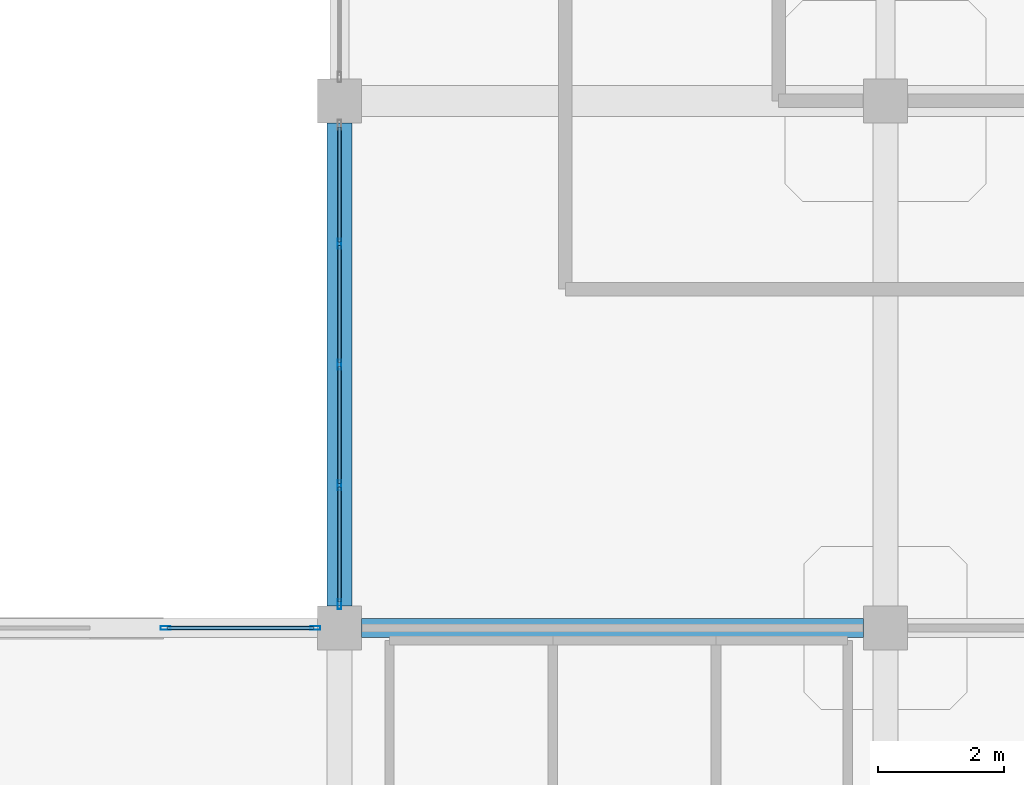
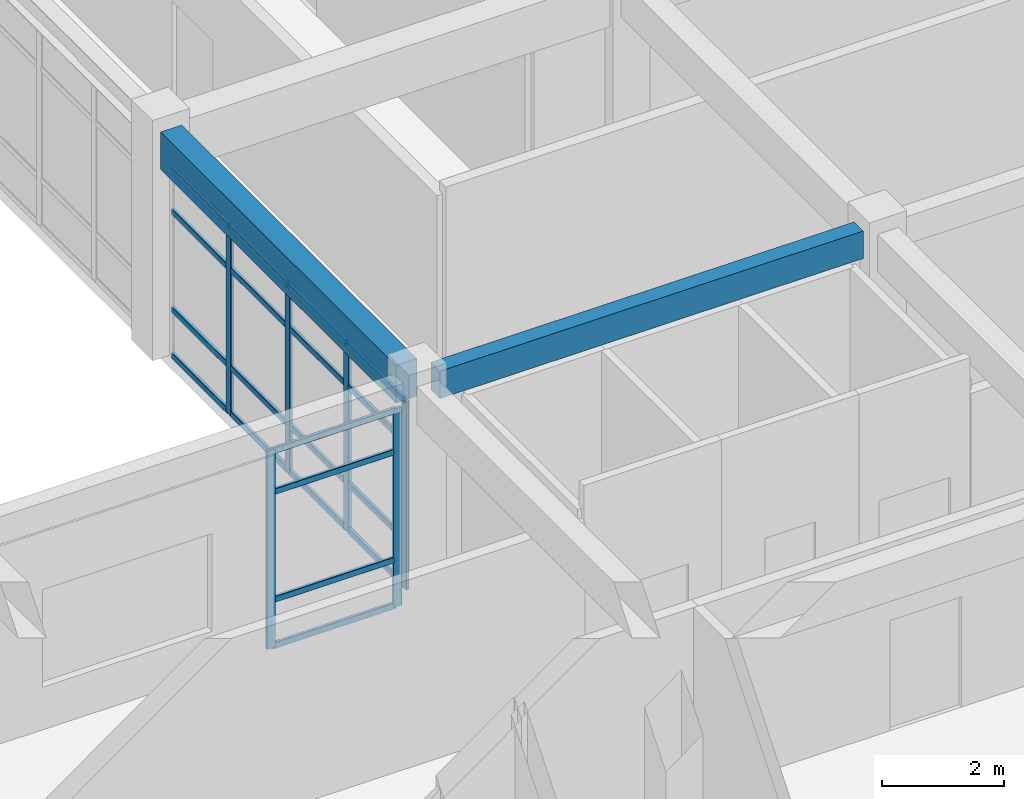
# One storey, part 16 of 64: 26 members, 2 beams, 2 elements without a shape of their own.
"""IFC4 building model written with IfcOpenShell, lengths in metres."""

from ifc_helpers import new_model, si_unit, derived_unit, direction, frame, origin, origin_2d, place, context, subcontext, project, spatial, rectangle, hollow_rectangle, extrude, material, layer, layer_set, material_profile, profile_set, type_object, element, aggregate, save


model = new_model("IFC4")

# Units and contexts
model_context = context("Model", 3, precision=1e-05, world=origin(), true_north=direction((0.0, 1.0)))
body_context = subcontext(model_context, "Body", "Model", "MODEL_VIEW")
ifc_project = project(units=[si_unit("LENGTHUNIT", "METRE"), si_unit("AREAUNIT", "SQUARE_METRE"), si_unit("VOLUMEUNIT", "CUBIC_METRE"), si_unit("PLANEANGLEUNIT", "RADIAN"), si_unit("MASSUNIT", "GRAM", prefix="KILO"), derived_unit("THERMALTRANSMITTANCEUNIT", [(si_unit("MASSUNIT", "GRAM", prefix="KILO"), 1), (si_unit("TIMEUNIT", "SECOND"), -3), (si_unit("THERMODYNAMICTEMPERATUREUNIT", "KELVIN"), -1)])], contexts=[model_context])

# Site, building, storey
site_placement = place(None, origin())
site = spatial("IfcSite", under=ifc_project, at=site_placement, CompositionType="ELEMENT")
building_placement = place(site_placement, origin())
building = spatial("IfcBuilding", under=site, at=building_placement, Name="Qinzheling Arcade Emporium", CompositionType="ELEMENT")
storey_placement = place(building_placement, frame((0.0, 0.0, 31.5)))
storey = spatial("IfcBuildingStorey", under=building, at=storey_placement, Name="L07", CompositionType="ELEMENT", Elevation=31.5)

# Curtain wall, members
ifc_material_1 = material(Name="Anodised aluminium and solar-control double glazing", Category="aluminium")
ifc_layer = layer(ifc_material_1, 0.159912109375, Name="Anodised aluminium and solar-control double glazing", Category="aluminium")
ifc_layer_set = layer_set([ifc_layer], Name="Anodised aluminium and solar-control double glazing")
curtain_wall_type = type_object("IfcCurtainWallType", Name="Atrium Clerestory Curtain Wall", PredefinedType="NOTDEFINED", material=ifc_layer_set)
curtain_wall_1_placement = place(storey_placement, origin())
curtain_wall_1 = element("IfcCurtainWall", 1, at=curtain_wall_1_placement, inside=storey, type_object=curtain_wall_type, Name="Curtain Wall CW-L07-413", PredefinedType="NOTDEFINED")
ifc_material_2 = material(Name="Anodised aluminium 6063-T6", Category="aluminium")
ifc_material_profile_1 = material_profile(ifc_material_2, hollow_rectangle(XDim=0.06005859375, YDim=0.159912109375, WallThickness=0.00390625, InnerFilletRadius=0.00390625, OuterFilletRadius=0.008056640625, at=origin_2d()), Name="RHS 160x60x4", Category="aluminium")
ifc_profile_set_1 = profile_set([ifc_material_profile_1], Name="Anodised aluminium 6063-T6")
member_type_1 = type_object("IfcMemberType", Name="Curtain Wall Mullion RHS160x60", PredefinedType="MULLION", material=ifc_profile_set_1)
member_1_placement = place(storey_placement, frame((32.030029296875, 42.0, 0.0), z_axis=(0.0, 0.0, 1.0), x_axis=(0.0, 1.0, 0.0)))
member_1 = element("IfcMember", 2, at=member_1_placement, type_object=member_type_1, Name="CW03 mullion 1", PredefinedType="MULLION", context=body_context, shape_type="SweptSolid", body=[
    extrude(hollow_rectangle(XDim=0.06005859375, YDim=0.159912109375, WallThickness=0.00390625, InnerFilletRadius=0.00390625, OuterFilletRadius=0.008056640625, at=origin_2d()), origin(), (0.0, 0.0, 1.0), 3.955078125),
])
member_2_placement = place(storey_placement, frame((34.41796875, 42.0, 0.0), z_axis=(0.0, 0.0, 1.0), x_axis=(0.0, 1.0, 0.0)))
member_2 = element("IfcMember", 3, at=member_2_placement, type_object=member_type_1, Name="CW03 mullion 2", PredefinedType="MULLION", context=body_context, shape_type="SweptSolid", body=[
    extrude(hollow_rectangle(XDim=0.06005859375, YDim=0.159912109375, WallThickness=0.00390625, InnerFilletRadius=0.00390625, OuterFilletRadius=0.008056640625, at=origin_2d()), origin(), (0.0, 0.0, 1.0), 3.955078125),
])

curtain_wall_2_placement = place(storey_placement, origin())
curtain_wall_2 = element("IfcCurtainWall", 4, at=curtain_wall_2_placement, inside=storey, type_object=curtain_wall_type, Name="Curtain Wall CW-L07-414", PredefinedType="NOTDEFINED")
member_3_placement = place(storey_placement, frame((34.800048828125, 42.382080078125, 0.0), z_axis=(0.0, 0.0, 1.0), x_axis=(-1.0, 0.0, 0.0)))
member_3 = element("IfcMember", 5, at=member_3_placement, type_object=member_type_1, Name="CW03 mullion 1", PredefinedType="MULLION", context=body_context, shape_type="SweptSolid", body=[
    extrude(hollow_rectangle(XDim=0.06005859375, YDim=0.159912109375, WallThickness=0.00390625, InnerFilletRadius=0.00390625, OuterFilletRadius=0.008056640625, at=origin_2d()), origin(), (0.0, 0.0, 1.0), 3.7548828125),
])
member_4_placement = place(storey_placement, frame((34.800048828125, 44.27587890625, 0.0), z_axis=(0.0, 0.0, 1.0), x_axis=(-1.0, 0.0, 0.0)))
member_4 = element("IfcMember", 6, at=member_4_placement, type_object=member_type_1, Name="CW03 mullion 2", PredefinedType="MULLION", context=body_context, shape_type="SweptSolid", body=[
    extrude(hollow_rectangle(XDim=0.06005859375, YDim=0.159912109375, WallThickness=0.00390625, InnerFilletRadius=0.00390625, OuterFilletRadius=0.008056640625, at=origin_2d()), origin(), (0.0, 0.0, 1.0), 3.7548828125),
])
member_5_placement = place(storey_placement, frame((34.800048828125, 46.199951171875, 0.0), z_axis=(0.0, 0.0, 1.0), x_axis=(-1.0, 0.0, 0.0)))
member_5 = element("IfcMember", 7, at=member_5_placement, type_object=member_type_1, Name="CW03 mullion 3", PredefinedType="MULLION", context=body_context, shape_type="SweptSolid", body=[
    extrude(hollow_rectangle(XDim=0.06005859375, YDim=0.159912109375, WallThickness=0.00390625, InnerFilletRadius=0.00390625, OuterFilletRadius=0.008056640625, at=origin_2d()), origin(), (0.0, 0.0, 1.0), 3.7548828125),
])
member_6_placement = place(storey_placement, frame((34.800048828125, 48.1240234375, 0.0), z_axis=(0.0, 0.0, 1.0), x_axis=(-1.0, 0.0, 0.0)))
member_6 = element("IfcMember", 8, at=member_6_placement, type_object=member_type_1, Name="CW03 mullion 4", PredefinedType="MULLION", context=body_context, shape_type="SweptSolid", body=[
    extrude(hollow_rectangle(XDim=0.06005859375, YDim=0.159912109375, WallThickness=0.00390625, InnerFilletRadius=0.00390625, OuterFilletRadius=0.008056640625, at=origin_2d()), origin(), (0.0, 0.0, 1.0), 3.7548828125),
])

# Member
ifc_material_profile_2 = material_profile(ifc_material_2, hollow_rectangle(XDim=0.06005859375, YDim=0.1201171875, WallThickness=0.00390625, InnerFilletRadius=0.00390625, OuterFilletRadius=0.008056640625, at=origin_2d()), Name="RHS 120x60x4", Category="aluminium")
ifc_profile_set_2 = profile_set([ifc_material_profile_2], Name="Anodised aluminium 6063-T6")
member_type_2 = type_object("IfcMemberType", Name="Curtain Wall Transom RHS120x60", PredefinedType="USERDEFINED", material=ifc_profile_set_2)
member_7_placement = place(storey_placement, frame((32.06005859375, 42.0, 0.030029296875), z_axis=(1.0, 0.0, 0.0), x_axis=(0.0, 1.0, 0.0)))
member_7 = element("IfcMember", 9, at=member_7_placement, type_object=member_type_2, Name="CW03 transom 1.1", ObjectType="TRANSOM", PredefinedType="USERDEFINED", context=body_context, shape_type="SweptSolid", body=[
    extrude(hollow_rectangle(XDim=0.06005859375, YDim=0.1201171875, WallThickness=0.00390625, InnerFilletRadius=0.00390625, OuterFilletRadius=0.008056640625, at=origin_2d()), origin(), (0.0, 0.0, 1.0), 2.327880859375),
])

member_8_placement = place(storey_placement, frame((32.06005859375, 42.0, 0.949951171875), z_axis=(1.0, 0.0, 0.0), x_axis=(0.0, 1.0, 0.0)))
member_8 = element("IfcMember", 10, at=member_8_placement, type_object=member_type_2, Name="CW03 transom 1.2", ObjectType="TRANSOM", PredefinedType="USERDEFINED", context=body_context, shape_type="SweptSolid", body=[
    extrude(hollow_rectangle(XDim=0.06005859375, YDim=0.1201171875, WallThickness=0.00390625, InnerFilletRadius=0.00390625, OuterFilletRadius=0.008056640625, at=origin_2d()), origin(), (0.0, 0.0, 1.0), 2.327880859375),
])

member_9_placement = place(storey_placement, frame((32.06005859375, 42.0, 3.10498046875), z_axis=(1.0, 0.0, 0.0), x_axis=(0.0, 1.0, 0.0)))
member_9 = element("IfcMember", 11, at=member_9_placement, type_object=member_type_2, Name="CW03 transom 1.3", ObjectType="TRANSOM", PredefinedType="USERDEFINED", context=body_context, shape_type="SweptSolid", body=[
    extrude(hollow_rectangle(XDim=0.06005859375, YDim=0.1201171875, WallThickness=0.00390625, InnerFilletRadius=0.00390625, OuterFilletRadius=0.008056640625, at=origin_2d()), origin(), (0.0, 0.0, 1.0), 2.327880859375),
])

member_10_placement = place(storey_placement, frame((32.06005859375, 42.0, 3.925048828125), z_axis=(1.0, 0.0, 0.0), x_axis=(0.0, 1.0, 0.0)))
member_10 = element("IfcMember", 12, at=member_10_placement, type_object=member_type_2, Name="CW03 transom 1.4", ObjectType="TRANSOM", PredefinedType="USERDEFINED", context=body_context, shape_type="SweptSolid", body=[
    extrude(hollow_rectangle(XDim=0.06005859375, YDim=0.1201171875, WallThickness=0.00390625, InnerFilletRadius=0.00390625, OuterFilletRadius=0.008056640625, at=origin_2d()), origin(), (0.0, 0.0, 1.0), 2.327880859375),
])

aggregate(curtain_wall_1, [member_1, member_2, member_7, member_8, member_9, member_10])

member_11_placement = place(storey_placement, frame((34.800048828125, 42.412109375, 0.030029296875), z_axis=(0.0, 1.0, 0.0), x_axis=(-1.0, 0.0, 0.0)))
member_11 = element("IfcMember", 13, at=member_11_placement, type_object=member_type_2, Name="CW03 transom 1.1", ObjectType="TRANSOM", PredefinedType="USERDEFINED", context=body_context, shape_type="SweptSolid", body=[
    extrude(hollow_rectangle(XDim=0.06005859375, YDim=0.1201171875, WallThickness=0.00390625, InnerFilletRadius=0.00390625, OuterFilletRadius=0.008056640625, at=origin_2d()), origin(), (0.0, 0.0, 1.0), 1.833984375),
])

member_12_placement = place(storey_placement, frame((34.800048828125, 42.412109375, 0.949951171875), z_axis=(0.0, 1.0, 0.0), x_axis=(-1.0, 0.0, 0.0)))
member_12 = element("IfcMember", 14, at=member_12_placement, type_object=member_type_2, Name="CW03 transom 1.2", ObjectType="TRANSOM", PredefinedType="USERDEFINED", context=body_context, shape_type="SweptSolid", body=[
    extrude(hollow_rectangle(XDim=0.06005859375, YDim=0.1201171875, WallThickness=0.00390625, InnerFilletRadius=0.00390625, OuterFilletRadius=0.008056640625, at=origin_2d()), origin(), (0.0, 0.0, 1.0), 1.833984375),
])

member_13_placement = place(storey_placement, frame((34.800048828125, 42.412109375, 2.905029296875), z_axis=(0.0, 1.0, 0.0), x_axis=(-1.0, 0.0, 0.0)))
member_13 = element("IfcMember", 15, at=member_13_placement, type_object=member_type_2, Name="CW03 transom 1.3", ObjectType="TRANSOM", PredefinedType="USERDEFINED", context=body_context, shape_type="SweptSolid", body=[
    extrude(hollow_rectangle(XDim=0.06005859375, YDim=0.1201171875, WallThickness=0.00390625, InnerFilletRadius=0.00390625, OuterFilletRadius=0.008056640625, at=origin_2d()), origin(), (0.0, 0.0, 1.0), 1.833984375),
])

member_14_placement = place(storey_placement, frame((34.800048828125, 42.412109375, 3.72509765625), z_axis=(0.0, 1.0, 0.0), x_axis=(-1.0, 0.0, 0.0)))
member_14 = element("IfcMember", 16, at=member_14_placement, type_object=member_type_2, Name="CW03 transom 1.4", ObjectType="TRANSOM", PredefinedType="USERDEFINED", context=body_context, shape_type="SweptSolid", body=[
    extrude(hollow_rectangle(XDim=0.06005859375, YDim=0.1201171875, WallThickness=0.00390625, InnerFilletRadius=0.00390625, OuterFilletRadius=0.008056640625, at=origin_2d()), origin(), (0.0, 0.0, 1.0), 1.833984375),
])

member_15_placement = place(storey_placement, frame((34.800048828125, 44.305908203125, 0.030029296875), z_axis=(0.0, 1.0, 0.0), x_axis=(-1.0, 0.0, 0.0)))
member_15 = element("IfcMember", 17, at=member_15_placement, type_object=member_type_2, Name="CW03 transom 2.1", ObjectType="TRANSOM", PredefinedType="USERDEFINED", context=body_context, shape_type="SweptSolid", body=[
    extrude(hollow_rectangle(XDim=0.06005859375, YDim=0.1201171875, WallThickness=0.00390625, InnerFilletRadius=0.00390625, OuterFilletRadius=0.008056640625, at=origin_2d()), origin(), (0.0, 0.0, 1.0), 1.864013671875),
])

member_16_placement = place(storey_placement, frame((34.800048828125, 44.305908203125, 0.949951171875), z_axis=(0.0, 1.0, 0.0), x_axis=(-1.0, 0.0, 0.0)))
member_16 = element("IfcMember", 18, at=member_16_placement, type_object=member_type_2, Name="CW03 transom 2.2", ObjectType="TRANSOM", PredefinedType="USERDEFINED", context=body_context, shape_type="SweptSolid", body=[
    extrude(hollow_rectangle(XDim=0.06005859375, YDim=0.1201171875, WallThickness=0.00390625, InnerFilletRadius=0.00390625, OuterFilletRadius=0.008056640625, at=origin_2d()), origin(), (0.0, 0.0, 1.0), 1.864013671875),
])

member_17_placement = place(storey_placement, frame((34.800048828125, 44.305908203125, 2.905029296875), z_axis=(0.0, 1.0, 0.0), x_axis=(-1.0, 0.0, 0.0)))
member_17 = element("IfcMember", 19, at=member_17_placement, type_object=member_type_2, Name="CW03 transom 2.3", ObjectType="TRANSOM", PredefinedType="USERDEFINED", context=body_context, shape_type="SweptSolid", body=[
    extrude(hollow_rectangle(XDim=0.06005859375, YDim=0.1201171875, WallThickness=0.00390625, InnerFilletRadius=0.00390625, OuterFilletRadius=0.008056640625, at=origin_2d()), origin(), (0.0, 0.0, 1.0), 1.864013671875),
])

member_18_placement = place(storey_placement, frame((34.800048828125, 44.305908203125, 3.72509765625), z_axis=(0.0, 1.0, 0.0), x_axis=(-1.0, 0.0, 0.0)))
member_18 = element("IfcMember", 20, at=member_18_placement, type_object=member_type_2, Name="CW03 transom 2.4", ObjectType="TRANSOM", PredefinedType="USERDEFINED", context=body_context, shape_type="SweptSolid", body=[
    extrude(hollow_rectangle(XDim=0.06005859375, YDim=0.1201171875, WallThickness=0.00390625, InnerFilletRadius=0.00390625, OuterFilletRadius=0.008056640625, at=origin_2d()), origin(), (0.0, 0.0, 1.0), 1.864013671875),
])

member_19_placement = place(storey_placement, frame((34.800048828125, 46.22998046875, 0.030029296875), z_axis=(0.0, 1.0, 0.0), x_axis=(-1.0, 0.0, 0.0)))
member_19 = element("IfcMember", 21, at=member_19_placement, type_object=member_type_2, Name="CW03 transom 3.1", ObjectType="TRANSOM", PredefinedType="USERDEFINED", context=body_context, shape_type="SweptSolid", body=[
    extrude(hollow_rectangle(XDim=0.06005859375, YDim=0.1201171875, WallThickness=0.00390625, InnerFilletRadius=0.00390625, OuterFilletRadius=0.008056640625, at=origin_2d()), origin(), (0.0, 0.0, 1.0), 1.864013671875),
])

member_20_placement = place(storey_placement, frame((34.800048828125, 46.22998046875, 0.949951171875), z_axis=(0.0, 1.0, 0.0), x_axis=(-1.0, 0.0, 0.0)))
member_20 = element("IfcMember", 22, at=member_20_placement, type_object=member_type_2, Name="CW03 transom 3.2", ObjectType="TRANSOM", PredefinedType="USERDEFINED", context=body_context, shape_type="SweptSolid", body=[
    extrude(hollow_rectangle(XDim=0.06005859375, YDim=0.1201171875, WallThickness=0.00390625, InnerFilletRadius=0.00390625, OuterFilletRadius=0.008056640625, at=origin_2d()), origin(), (0.0, 0.0, 1.0), 1.864013671875),
])

member_21_placement = place(storey_placement, frame((34.800048828125, 46.22998046875, 2.905029296875), z_axis=(0.0, 1.0, 0.0), x_axis=(-1.0, 0.0, 0.0)))
member_21 = element("IfcMember", 23, at=member_21_placement, type_object=member_type_2, Name="CW03 transom 3.3", ObjectType="TRANSOM", PredefinedType="USERDEFINED", context=body_context, shape_type="SweptSolid", body=[
    extrude(hollow_rectangle(XDim=0.06005859375, YDim=0.1201171875, WallThickness=0.00390625, InnerFilletRadius=0.00390625, OuterFilletRadius=0.008056640625, at=origin_2d()), origin(), (0.0, 0.0, 1.0), 1.864013671875),
])

member_22_placement = place(storey_placement, frame((34.800048828125, 46.22998046875, 3.72509765625), z_axis=(0.0, 1.0, 0.0), x_axis=(-1.0, 0.0, 0.0)))
member_22 = element("IfcMember", 24, at=member_22_placement, type_object=member_type_2, Name="CW03 transom 3.4", ObjectType="TRANSOM", PredefinedType="USERDEFINED", context=body_context, shape_type="SweptSolid", body=[
    extrude(hollow_rectangle(XDim=0.06005859375, YDim=0.1201171875, WallThickness=0.00390625, InnerFilletRadius=0.00390625, OuterFilletRadius=0.008056640625, at=origin_2d()), origin(), (0.0, 0.0, 1.0), 1.864013671875),
])

member_23_placement = place(storey_placement, frame((34.800048828125, 48.154052734375, 0.030029296875), z_axis=(0.0, 1.0, 0.0), x_axis=(-1.0, 0.0, 0.0)))
member_23 = element("IfcMember", 25, at=member_23_placement, type_object=member_type_2, Name="CW03 transom 4.1", ObjectType="TRANSOM", PredefinedType="USERDEFINED", context=body_context, shape_type="SweptSolid", body=[
    extrude(hollow_rectangle(XDim=0.06005859375, YDim=0.1201171875, WallThickness=0.00390625, InnerFilletRadius=0.00390625, OuterFilletRadius=0.008056640625, at=origin_2d()), origin(), (0.0, 0.0, 1.0), 1.833984375),
])

member_24_placement = place(storey_placement, frame((34.800048828125, 48.154052734375, 0.949951171875), z_axis=(0.0, 1.0, 0.0), x_axis=(-1.0, 0.0, 0.0)))
member_24 = element("IfcMember", 26, at=member_24_placement, type_object=member_type_2, Name="CW03 transom 4.2", ObjectType="TRANSOM", PredefinedType="USERDEFINED", context=body_context, shape_type="SweptSolid", body=[
    extrude(hollow_rectangle(XDim=0.06005859375, YDim=0.1201171875, WallThickness=0.00390625, InnerFilletRadius=0.00390625, OuterFilletRadius=0.008056640625, at=origin_2d()), origin(), (0.0, 0.0, 1.0), 1.833984375),
])

member_25_placement = place(storey_placement, frame((34.800048828125, 48.154052734375, 2.905029296875), z_axis=(0.0, 1.0, 0.0), x_axis=(-1.0, 0.0, 0.0)))
member_25 = element("IfcMember", 27, at=member_25_placement, type_object=member_type_2, Name="CW03 transom 4.3", ObjectType="TRANSOM", PredefinedType="USERDEFINED", context=body_context, shape_type="SweptSolid", body=[
    extrude(hollow_rectangle(XDim=0.06005859375, YDim=0.1201171875, WallThickness=0.00390625, InnerFilletRadius=0.00390625, OuterFilletRadius=0.008056640625, at=origin_2d()), origin(), (0.0, 0.0, 1.0), 1.833984375),
])

member_26_placement = place(storey_placement, frame((34.800048828125, 48.154052734375, 3.72509765625), z_axis=(0.0, 1.0, 0.0), x_axis=(-1.0, 0.0, 0.0)))
member_26 = element("IfcMember", 28, at=member_26_placement, type_object=member_type_2, Name="CW03 transom 4.4", ObjectType="TRANSOM", PredefinedType="USERDEFINED", context=body_context, shape_type="SweptSolid", body=[
    extrude(hollow_rectangle(XDim=0.06005859375, YDim=0.1201171875, WallThickness=0.00390625, InnerFilletRadius=0.00390625, OuterFilletRadius=0.008056640625, at=origin_2d()), origin(), (0.0, 0.0, 1.0), 1.833984375),
])

aggregate(curtain_wall_2, [member_3, member_4, member_5, member_6, member_11, member_12, member_13, member_14, member_15, member_16, member_17, member_18, member_19, member_20, member_21, member_22, member_23, member_24, member_25, member_26])

# Beams
ifc_material_3 = material(Name="Concrete C40", Category="concrete")
ifc_material_profile_3 = material_profile(ifc_material_3, rectangle(XDim=0.39990234375, YDim=0.75, at=origin_2d()), Name="RC 400x750", Category="concrete")
ifc_profile_set_3 = profile_set([ifc_material_profile_3], Name="Concrete C40")
beam_type_1 = type_object("IfcBeamType", Name="RC Interior Tie Beam 400x750 C40", PredefinedType="BEAM", material=ifc_profile_set_3)
beam_1_placement = place(storey_placement, frame((34.800048828125, 42.35009765625, 4.14501953125), z_axis=(0.0, 1.0, 0.0), x_axis=(-1.0, 0.0, 0.0)))
element("IfcBeam", 29, at=beam_1_placement, inside=storey, type_object=beam_type_1, Name="Beam BM-L07-Y-5-F", PredefinedType="BEAM", context=body_context, shape_type="SweptSolid", body=[
    extrude(rectangle(XDim=0.39990234375, YDim=0.75, at=origin_2d()), origin(), (0.0, 0.0, 1.0), 7.699951171875),
])
ifc_material_profile_4 = material_profile(ifc_material_3, rectangle(XDim=0.300048828125, YDim=0.550048828125, at=origin_2d()), Name="RC 300x550", Category="concrete")
ifc_profile_set_4 = profile_set([ifc_material_profile_4], Name="Concrete C40")
beam_type_2 = type_object("IfcBeamType", Name="RC Terrace Spandrel Beam 300x550 C40", PredefinedType="SPANDREL", material=ifc_profile_set_4)
beam_2_placement = place(storey_placement, frame((35.14990234375, 42.0, 4.2451171875), z_axis=(1.0, 0.0, 0.0), x_axis=(0.0, 1.0, 0.0)))
element("IfcBeam", 30, at=beam_2_placement, inside=storey, type_object=beam_type_2, Name="Beam BM-L07-X-F-5", PredefinedType="SPANDREL", context=body_context, shape_type="SweptSolid", body=[
    extrude(rectangle(XDim=0.300048828125, YDim=0.550048828125, at=origin_2d()), origin(), (0.0, 0.0, 1.0), 8.0),
])

save(model, "model.ifc")
